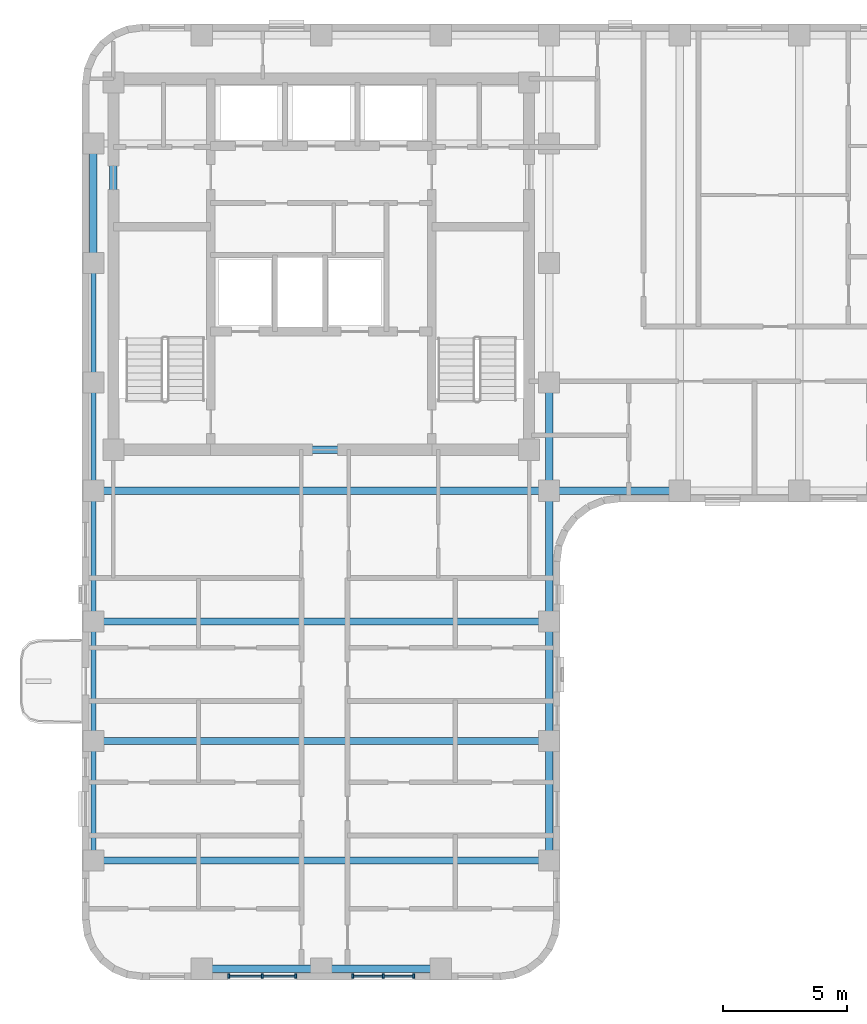
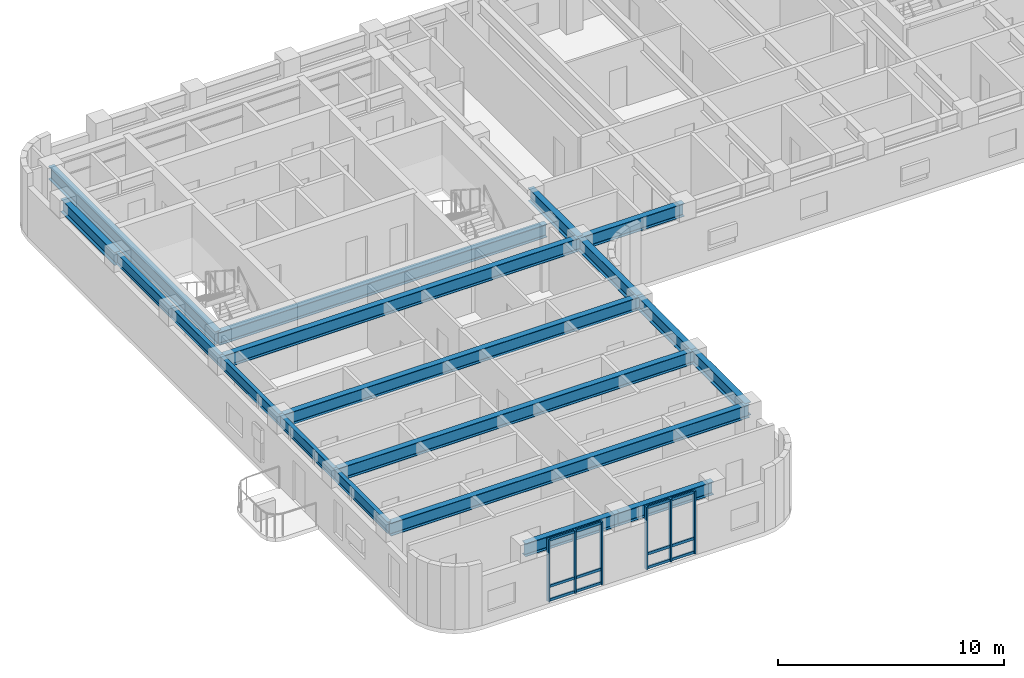
# One storey, part 2 of 12: 19 beams, 18 members, 2 elements without a shape of their own.
"""IFC4 building model written with IfcOpenShell, lengths in metres."""

from ifc_helpers import new_model, si_unit, direction, frame, origin, origin_2d, place, context, subcontext, project, spatial, rectangle, i_section, extrude, material, material_profile, profile_set, type_object, element, aggregate, save


model = new_model("IFC4")

# Units and contexts
model_context = context("Model", 3, precision=1e-05, world=origin(), true_north=direction((0.0, 1.0)))
body_context = subcontext(model_context, "Body", "Model", "MODEL_VIEW")
ifc_project = project(units=[si_unit("LENGTHUNIT", "METRE"), si_unit("AREAUNIT", "SQUARE_METRE"), si_unit("VOLUMEUNIT", "CUBIC_METRE"), si_unit("PLANEANGLEUNIT", "RADIAN"), si_unit("MASSUNIT", "GRAM", prefix="KILO")], contexts=[model_context])

# Site, building, storey
site_placement = place(None, origin())
site = spatial("IfcSite", under=ifc_project, at=site_placement, CompositionType="ELEMENT")
building_placement = place(site_placement, origin())
building = spatial("IfcBuilding", under=site, at=building_placement, Name="Orvandelia Arch Residences", CompositionType="ELEMENT")
storey_placement = place(building_placement, frame((0.0, 0.0, 214.60009765625)))
storey = spatial("IfcBuildingStorey", under=building, at=storey_placement, Name="L56", CompositionType="ELEMENT", Elevation=214.60009765625)

# Beams
ifc_material_1 = material(Name="Structural Steel SM355 (355 MPa)", Category="steel")
ifc_material_profile_1 = material_profile(ifc_material_1, i_section(OverallWidth=0.300048828125, OverallDepth=0.699951171875, WebThickness=0.012939453125, FlangeThickness=0.02392578125, FilletRadius=0.02392578125, at=origin_2d()), Name="Structural Steel SM355 (355 MPa)", Category="steel")
ifc_profile_set_1 = profile_set([ifc_material_profile_1], Name="Structural Steel SM355 (355 MPa)")
beam_type_1 = type_object("IfcBeamType", Name="BM-GRD-H700", PredefinedType="BEAM", material=ifc_profile_set_1)
beam_1_placement = place(storey_placement, frame((5.25, 38.39990234375, 3.02978515625), z_axis=(0.0, 1.0, 0.0), x_axis=(-1.0, 0.0, 0.0)))
element("IfcBeam", 1, at=beam_1_placement, inside=storey, type_object=beam_type_1, Name="Structural Frame Beam L56-NS-006", PredefinedType="BEAM", context=body_context, shape_type="SweptSolid", body=[
    extrude(i_section(OverallWidth=0.300048828125, OverallDepth=0.699951171875, WebThickness=0.012939453125, FlangeThickness=0.02392578125, FilletRadius=0.02392578125, at=origin_2d()), origin(), (0.0, 0.0, 1.0), 4.800048828125),
])
beam_2_placement = place(storey_placement, frame((6.050048828125, 30.89990234375, 3.02978515625), z_axis=(0.0, 1.0, 0.0), x_axis=(-1.0, 0.0, 0.0)))
element("IfcBeam", 2, at=beam_2_placement, inside=storey, type_object=beam_type_1, Name="Structural Frame Beam L56-NS-007", PredefinedType="BEAM", context=body_context, shape_type="SweptSolid", body=[
    extrude(i_section(OverallWidth=0.300048828125, OverallDepth=0.699951171875, WebThickness=0.012939453125, FlangeThickness=0.02392578125, FilletRadius=0.02392578125, at=origin_2d()), origin(), (0.0, 0.0, 1.0), 14.75),
])
for number, where, z_axis, x_axis, name in (
    (3, (23.550048828125, 14.39990234375, 3.02978515625), (0.0, 1.0, 0.0), (-1.0, 0.0, 0.0), "Structural Frame Beam L56-NS-009"),
    (4, (23.550048828125, 19.199951171875, 3.02978515625), (0.0, 1.0, 0.0), (-1.0, 0.0, 0.0), "Structural Frame Beam L56-NS-010"),
):
    element("IfcBeam", number, at=place(storey_placement, frame(where, z_axis=z_axis, x_axis=x_axis)), inside=storey, type_object=beam_type_1, Name=name, PredefinedType="BEAM", context=body_context, shape_type="SweptSolid", body=[
        extrude(i_section(OverallWidth=0.300048828125, OverallDepth=0.699951171875, WebThickness=0.012939453125, FlangeThickness=0.02392578125, FilletRadius=0.02392578125, at=origin_2d()), origin(), (0.0, 0.0, 1.0), 4.800048828125),
    ])
beam_3_placement = place(storey_placement, frame((23.550048828125, 24.0, 3.02978515625), z_axis=(0.0, 1.0, 0.0), x_axis=(-1.0, 0.0, 0.0)))
element("IfcBeam", 5, at=beam_3_placement, inside=storey, type_object=beam_type_1, Name="Structural Frame Beam L56-NS-011", PredefinedType="BEAM", context=body_context, shape_type="SweptSolid", body=[
    extrude(i_section(OverallWidth=0.300048828125, OverallDepth=0.699951171875, WebThickness=0.012939453125, FlangeThickness=0.02392578125, FilletRadius=0.02392578125, at=origin_2d()), origin(), (0.0, 0.0, 1.0), 5.25),
])
beam_4_placement = place(storey_placement, frame((23.550048828125, 29.25, 3.02978515625), z_axis=(0.0, 1.0, 0.0), x_axis=(-1.0, 0.0, 0.0)))
element("IfcBeam", 6, at=beam_4_placement, inside=storey, type_object=beam_type_1, Name="Structural Frame Beam L56-NS-012", PredefinedType="BEAM", context=body_context, shape_type="SweptSolid", body=[
    extrude(i_section(OverallWidth=0.300048828125, OverallDepth=0.699951171875, WebThickness=0.012939453125, FlangeThickness=0.02392578125, FilletRadius=0.02392578125, at=origin_2d()), origin(), (0.0, 0.0, 1.0), 4.35009765625),
])
beam_5_placement = place(storey_placement, frame((9.60009765625, 10.050048828125, 3.02978515625), z_axis=(1.0, 0.0, 0.0), x_axis=(0.0, 1.0, 0.0)))
element("IfcBeam", 7, at=beam_5_placement, inside=storey, type_object=beam_type_1, Name="Structural Frame Girder L56-EW-025", PredefinedType="BEAM", context=body_context, shape_type="SweptSolid", body=[
    extrude(i_section(OverallWidth=0.300048828125, OverallDepth=0.699951171875, WebThickness=0.012939453125, FlangeThickness=0.02392578125, FilletRadius=0.02392578125, at=origin_2d()), origin(), (0.0, 0.0, 1.0), 4.7998046875),
])
beam_6_placement = place(storey_placement, frame((14.39990234375, 10.050048828125, 3.02978515625), z_axis=(1.0, 0.0, 0.0), x_axis=(0.0, 1.0, 0.0)))
element("IfcBeam", 8, at=beam_6_placement, inside=storey, type_object=beam_type_1, Name="Structural Frame Girder L56-EW-026", PredefinedType="BEAM", context=body_context, shape_type="SweptSolid", body=[
    extrude(i_section(OverallWidth=0.300048828125, OverallDepth=0.699951171875, WebThickness=0.012939453125, FlangeThickness=0.02392578125, FilletRadius=0.02392578125, at=origin_2d()), origin(), (0.0, 0.0, 1.0), 4.800048828125),
])
for number, where, z_axis, x_axis, name in (
    (9, (5.25, 14.39990234375, 3.02978515625), (1.0, 0.0, 0.0), (0.0, 1.0, 0.0), "Structural Frame Girder L56-EW-027"),
    (10, (5.25, 19.199951171875, 3.02978515625), (1.0, 0.0, 0.0), (0.0, 1.0, 0.0), "Structural Frame Girder L56-EW-028"),
    (11, (5.25, 24.0, 3.02978515625), (1.0, 0.0, 0.0), (0.0, 1.0, 0.0), "Structural Frame Girder L56-EW-029"),
    (12, (5.25, 29.25, 3.02978515625), (1.0, 0.0, 0.0), (0.0, 1.0, 0.0), "Structural Frame Girder L56-EW-030"),
):
    element("IfcBeam", number, at=place(storey_placement, frame(where, z_axis=z_axis, x_axis=x_axis)), inside=storey, type_object=beam_type_1, Name=name, PredefinedType="BEAM", context=body_context, shape_type="SweptSolid", body=[
        extrude(i_section(OverallWidth=0.300048828125, OverallDepth=0.699951171875, WebThickness=0.012939453125, FlangeThickness=0.02392578125, FilletRadius=0.02392578125, at=origin_2d()), origin(), (0.0, 0.0, 1.0), 18.300048828125),
    ])
beam_7_placement = place(storey_placement, frame((23.550048828125, 29.25, 3.02978515625), z_axis=(1.0, 0.0, 0.0), x_axis=(0.0, 1.0, 0.0)))
element("IfcBeam", 13, at=beam_7_placement, inside=storey, type_object=beam_type_1, Name="Structural Frame Girder L56-EW-031", PredefinedType="BEAM", context=body_context, shape_type="SweptSolid", body=[
    extrude(i_section(OverallWidth=0.300048828125, OverallDepth=0.699951171875, WebThickness=0.012939453125, FlangeThickness=0.02392578125, FilletRadius=0.02392578125, at=origin_2d()), origin(), (0.0, 0.0, 1.0), 5.25),
])
beam_8_placement = place(storey_placement, frame((6.050048828125, 30.89990234375, 3.02978515625), z_axis=(1.0, 0.0, 0.0), x_axis=(0.0, 1.0, 0.0)))
element("IfcBeam", 14, at=beam_8_placement, inside=storey, type_object=beam_type_1, Name="Structural Frame Girder L56-EW-037", PredefinedType="BEAM", context=body_context, shape_type="SweptSolid", body=[
    extrude(i_section(OverallWidth=0.300048828125, OverallDepth=0.699951171875, WebThickness=0.012939453125, FlangeThickness=0.02392578125, FilletRadius=0.02392578125, at=origin_2d()), origin(), (0.0, 0.0, 1.0), 16.699951171875),
])
ifc_material_profile_2 = material_profile(ifc_material_1, i_section(OverallWidth=0.199951171875, OverallDepth=0.60009765625, WebThickness=0.010986328125, FlangeThickness=0.01708984375, FilletRadius=0.02197265625, at=origin_2d()), Name="Structural Steel SM355 (355 MPa)", Category="steel")
ifc_profile_set_2 = profile_set([ifc_material_profile_2], Name="Structural Steel SM355 (355 MPa)")
beam_type_2 = type_object("IfcBeamType", Name="BM-SPN-H600", PredefinedType="SPANDREL", material=ifc_profile_set_2)
for number, where, z_axis, x_axis, name in (
    (15, (5.25, 14.39990234375, 3.079833984375), (0.0, 1.0, 0.0), (-1.0, 0.0, 0.0), "Structural Frame Beam L56-NS-001"),
    (16, (5.25, 19.199951171875, 3.079833984375), (0.0, 1.0, 0.0), (-1.0, 0.0, 0.0), "Structural Frame Beam L56-NS-002"),
):
    element("IfcBeam", number, at=place(storey_placement, frame(where, z_axis=z_axis, x_axis=x_axis)), inside=storey, type_object=beam_type_2, Name=name, PredefinedType="SPANDREL", context=body_context, shape_type="SweptSolid", body=[
        extrude(i_section(OverallWidth=0.199951171875, OverallDepth=0.60009765625, WebThickness=0.010986328125, FlangeThickness=0.01708984375, FilletRadius=0.02197265625, at=origin_2d()), origin(), (0.0, 0.0, 1.0), 4.800048828125),
    ])
beam_9_placement = place(storey_placement, frame((5.25, 24.0, 3.079833984375), z_axis=(0.0, 1.0, 0.0), x_axis=(-1.0, 0.0, 0.0)))
element("IfcBeam", 17, at=beam_9_placement, inside=storey, type_object=beam_type_2, Name="Structural Frame Beam L56-NS-003", PredefinedType="SPANDREL", context=body_context, shape_type="SweptSolid", body=[
    extrude(i_section(OverallWidth=0.199951171875, OverallDepth=0.60009765625, WebThickness=0.010986328125, FlangeThickness=0.01708984375, FilletRadius=0.02197265625, at=origin_2d()), origin(), (0.0, 0.0, 1.0), 5.25),
])
beam_10_placement = place(storey_placement, frame((5.25, 29.25, 3.079833984375), z_axis=(0.0, 1.0, 0.0), x_axis=(-1.0, 0.0, 0.0)))
element("IfcBeam", 18, at=beam_10_placement, inside=storey, type_object=beam_type_2, Name="Structural Frame Beam L56-NS-004", PredefinedType="SPANDREL", context=body_context, shape_type="SweptSolid", body=[
    extrude(i_section(OverallWidth=0.199951171875, OverallDepth=0.60009765625, WebThickness=0.010986328125, FlangeThickness=0.01708984375, FilletRadius=0.02197265625, at=origin_2d()), origin(), (0.0, 0.0, 1.0), 4.35009765625),
])
beam_11_placement = place(storey_placement, frame((5.25, 33.60009765625, 3.079833984375), z_axis=(0.0, 1.0, 0.0), x_axis=(-1.0, 0.0, 0.0)))
element("IfcBeam", 19, at=beam_11_placement, inside=storey, type_object=beam_type_2, Name="Structural Frame Beam L56-NS-005", PredefinedType="SPANDREL", context=body_context, shape_type="SweptSolid", body=[
    extrude(i_section(OverallWidth=0.199951171875, OverallDepth=0.60009765625, WebThickness=0.010986328125, FlangeThickness=0.01708984375, FilletRadius=0.02197265625, at=origin_2d()), origin(), (0.0, 0.0, 1.0), 4.7998046875),
])

# Curtain wall, members
ifc_material_2 = material(Name="Anodised Bronze Curtain Wall Assembly")
curtain_wall_type = type_object("IfcCurtainWallType", Name="CW-SYS5-CORNER", PredefinedType="NOTDEFINED", material=ifc_material_2)
curtain_wall_1_placement = place(storey_placement, origin())
curtain_wall_1 = element("IfcCurtainWall", 20, at=curtain_wall_1_placement, inside=storey, type_object=curtain_wall_type, Name="Feature Bay Winter-Garden Curtain Wall L56 1", PredefinedType="NOTDEFINED")
ifc_material_3 = material(Name="Anodised Aluminium Alloy 6063-T6", Category="aluminium")
ifc_material_profile_3 = material_profile(ifc_material_3, rectangle(XDim=0.080078125, YDim=0.179931640625, at=origin_2d()), Name="Anodised Aluminium Alloy 6063-T6", Category="aluminium")
ifc_profile_set_3 = profile_set([ifc_material_profile_3], Name="Anodised Aluminium Alloy 6063-T6")
member_type_1 = type_object("IfcMemberType", Name="CW-MULLION-80x160", PredefinedType="MULLION", material=ifc_profile_set_3)
member_1_placement = place(storey_placement, frame((10.679931640625, 9.760009765625, 0.0), z_axis=(0.0, 0.0, 1.0), x_axis=(1.0, 0.0, 0.0)))
member_1 = element("IfcMember", 21, at=member_1_placement, type_object=member_type_1, Name="Curtain Wall Mullion CW-L56-1-M1", PredefinedType="MULLION", context=body_context, shape_type="SweptSolid", body=[
    extrude(rectangle(XDim=0.080078125, YDim=0.179931640625, at=origin_2d()), origin(), (0.0, 0.0, 1.0), 3.3798828125),
])
member_2_placement = place(storey_placement, frame((12.030029296875, 9.760009765625, 0.0), z_axis=(0.0, 0.0, 1.0), x_axis=(1.0, 0.0, 0.0)))
member_2 = element("IfcMember", 22, at=member_2_placement, type_object=member_type_1, Name="Curtain Wall Mullion CW-L56-1-M2", PredefinedType="MULLION", context=body_context, shape_type="SweptSolid", body=[
    extrude(rectangle(XDim=0.080078125, YDim=0.179931640625, at=origin_2d()), origin(), (0.0, 0.0, 1.0), 3.3798828125),
])
member_3_placement = place(storey_placement, frame((13.3798828125, 9.760009765625, 0.0), z_axis=(0.0, 0.0, 1.0), x_axis=(1.0, 0.0, 0.0)))
member_3 = element("IfcMember", 23, at=member_3_placement, type_object=member_type_1, Name="Curtain Wall Mullion CW-L56-1-M3", PredefinedType="MULLION", context=body_context, shape_type="SweptSolid", body=[
    extrude(rectangle(XDim=0.080078125, YDim=0.179931640625, at=origin_2d()), origin(), (0.0, 0.0, 1.0), 3.3798828125),
])

curtain_wall_2_placement = place(storey_placement, origin())
curtain_wall_2 = element("IfcCurtainWall", 24, at=curtain_wall_2_placement, inside=storey, type_object=curtain_wall_type, Name="Feature Bay Winter-Garden Curtain Wall L56 2", PredefinedType="NOTDEFINED")
member_4_placement = place(storey_placement, frame((15.669921875, 9.760009765625, 0.0), z_axis=(0.0, 0.0, 1.0), x_axis=(1.0, 0.0, 0.0)))
member_4 = element("IfcMember", 25, at=member_4_placement, type_object=member_type_1, Name="Curtain Wall Mullion CW-L56-2-M1", PredefinedType="MULLION", context=body_context, shape_type="SweptSolid", body=[
    extrude(rectangle(XDim=0.080078125, YDim=0.179931640625, at=origin_2d()), origin(), (0.0, 0.0, 1.0), 3.3798828125),
])
member_5_placement = place(storey_placement, frame((16.89501953125, 9.760009765625, 0.0), z_axis=(0.0, 0.0, 1.0), x_axis=(1.0, 0.0, 0.0)))
member_5 = element("IfcMember", 26, at=member_5_placement, type_object=member_type_1, Name="Curtain Wall Mullion CW-L56-2-M2", PredefinedType="MULLION", context=body_context, shape_type="SweptSolid", body=[
    extrude(rectangle(XDim=0.080078125, YDim=0.179931640625, at=origin_2d()), origin(), (0.0, 0.0, 1.0), 3.3798828125),
])
member_6_placement = place(storey_placement, frame((18.1201171875, 9.760009765625, 0.0), z_axis=(0.0, 0.0, 1.0), x_axis=(1.0, 0.0, 0.0)))
member_6 = element("IfcMember", 27, at=member_6_placement, type_object=member_type_1, Name="Curtain Wall Mullion CW-L56-2-M3", PredefinedType="MULLION", context=body_context, shape_type="SweptSolid", body=[
    extrude(rectangle(XDim=0.080078125, YDim=0.179931640625, at=origin_2d()), origin(), (0.0, 0.0, 1.0), 3.3798828125),
])

# Member
ifc_material_profile_4 = material_profile(ifc_material_3, rectangle(XDim=0.080078125, YDim=0.139892578125, at=origin_2d()), Name="Anodised Aluminium Alloy 6063-T6", Category="aluminium")
ifc_profile_set_4 = profile_set([ifc_material_profile_4], Name="Anodised Aluminium Alloy 6063-T6")
member_type_2 = type_object("IfcMemberType", Name="CW-TRANSOM-80x140", PredefinedType="USERDEFINED", material=ifc_profile_set_4)
member_7_placement = place(storey_placement, frame((10.705078125, 9.760009765625, 0.06982421875), z_axis=(1.0, 0.0, 0.0), x_axis=(0.0, 1.0, 0.0)))
member_7 = element("IfcMember", 28, at=member_7_placement, type_object=member_type_2, Name="Curtain Wall Transom CW-L56-1-T1-1", ObjectType="TRANSOM", PredefinedType="USERDEFINED", context=body_context, shape_type="SweptSolid", body=[
    extrude(rectangle(XDim=0.080078125, YDim=0.139892578125, at=origin_2d()), origin(), (0.0, 0.0, 1.0), 1.2998046875),
])

member_8_placement = place(storey_placement, frame((10.705078125, 9.760009765625, 0.81103515625), z_axis=(1.0, 0.0, 0.0), x_axis=(0.0, 1.0, 0.0)))
member_8 = element("IfcMember", 29, at=member_8_placement, type_object=member_type_2, Name="Curtain Wall Transom CW-L56-1-T1-2", ObjectType="TRANSOM", PredefinedType="USERDEFINED", context=body_context, shape_type="SweptSolid", body=[
    extrude(rectangle(XDim=0.080078125, YDim=0.139892578125, at=origin_2d()), origin(), (0.0, 0.0, 1.0), 1.2998046875),
])

member_9_placement = place(storey_placement, frame((10.705078125, 9.760009765625, 3.309814453125), z_axis=(1.0, 0.0, 0.0), x_axis=(0.0, 1.0, 0.0)))
member_9 = element("IfcMember", 30, at=member_9_placement, type_object=member_type_2, Name="Curtain Wall Transom CW-L56-1-T1-3", ObjectType="TRANSOM", PredefinedType="USERDEFINED", context=body_context, shape_type="SweptSolid", body=[
    extrude(rectangle(XDim=0.080078125, YDim=0.139892578125, at=origin_2d()), origin(), (0.0, 0.0, 1.0), 1.2998046875),
])

member_10_placement = place(storey_placement, frame((12.054931640625, 9.760009765625, 0.06982421875), z_axis=(1.0, 0.0, 0.0), x_axis=(0.0, 1.0, 0.0)))
member_10 = element("IfcMember", 31, at=member_10_placement, type_object=member_type_2, Name="Curtain Wall Transom CW-L56-1-T2-1", ObjectType="TRANSOM", PredefinedType="USERDEFINED", context=body_context, shape_type="SweptSolid", body=[
    extrude(rectangle(XDim=0.080078125, YDim=0.139892578125, at=origin_2d()), origin(), (0.0, 0.0, 1.0), 1.300048828125),
])

member_11_placement = place(storey_placement, frame((12.054931640625, 9.760009765625, 0.81103515625), z_axis=(1.0, 0.0, 0.0), x_axis=(0.0, 1.0, 0.0)))
member_11 = element("IfcMember", 32, at=member_11_placement, type_object=member_type_2, Name="Curtain Wall Transom CW-L56-1-T2-2", ObjectType="TRANSOM", PredefinedType="USERDEFINED", context=body_context, shape_type="SweptSolid", body=[
    extrude(rectangle(XDim=0.080078125, YDim=0.139892578125, at=origin_2d()), origin(), (0.0, 0.0, 1.0), 1.300048828125),
])

member_12_placement = place(storey_placement, frame((12.054931640625, 9.760009765625, 3.309814453125), z_axis=(1.0, 0.0, 0.0), x_axis=(0.0, 1.0, 0.0)))
member_12 = element("IfcMember", 33, at=member_12_placement, type_object=member_type_2, Name="Curtain Wall Transom CW-L56-1-T2-3", ObjectType="TRANSOM", PredefinedType="USERDEFINED", context=body_context, shape_type="SweptSolid", body=[
    extrude(rectangle(XDim=0.080078125, YDim=0.139892578125, at=origin_2d()), origin(), (0.0, 0.0, 1.0), 1.300048828125),
])

aggregate(curtain_wall_1, [member_1, member_2, member_3, member_7, member_8, member_9, member_10, member_11, member_12])

member_13_placement = place(storey_placement, frame((15.695068359375, 9.760009765625, 0.06982421875), z_axis=(1.0, 0.0, 0.0), x_axis=(0.0, 1.0, 0.0)))
member_13 = element("IfcMember", 34, at=member_13_placement, type_object=member_type_2, Name="Curtain Wall Transom CW-L56-2-T1-1", ObjectType="TRANSOM", PredefinedType="USERDEFINED", context=body_context, shape_type="SweptSolid", body=[
    extrude(rectangle(XDim=0.080078125, YDim=0.139892578125, at=origin_2d()), origin(), (0.0, 0.0, 1.0), 1.175048828125),
])

member_14_placement = place(storey_placement, frame((15.695068359375, 9.760009765625, 0.81103515625), z_axis=(1.0, 0.0, 0.0), x_axis=(0.0, 1.0, 0.0)))
member_14 = element("IfcMember", 35, at=member_14_placement, type_object=member_type_2, Name="Curtain Wall Transom CW-L56-2-T1-2", ObjectType="TRANSOM", PredefinedType="USERDEFINED", context=body_context, shape_type="SweptSolid", body=[
    extrude(rectangle(XDim=0.080078125, YDim=0.139892578125, at=origin_2d()), origin(), (0.0, 0.0, 1.0), 1.175048828125),
])

member_15_placement = place(storey_placement, frame((15.695068359375, 9.760009765625, 3.309814453125), z_axis=(1.0, 0.0, 0.0), x_axis=(0.0, 1.0, 0.0)))
member_15 = element("IfcMember", 36, at=member_15_placement, type_object=member_type_2, Name="Curtain Wall Transom CW-L56-2-T1-3", ObjectType="TRANSOM", PredefinedType="USERDEFINED", context=body_context, shape_type="SweptSolid", body=[
    extrude(rectangle(XDim=0.080078125, YDim=0.139892578125, at=origin_2d()), origin(), (0.0, 0.0, 1.0), 1.175048828125),
])

member_16_placement = place(storey_placement, frame((16.919921875, 9.760009765625, 0.06982421875), z_axis=(1.0, 0.0, 0.0), x_axis=(0.0, 1.0, 0.0)))
member_16 = element("IfcMember", 37, at=member_16_placement, type_object=member_type_2, Name="Curtain Wall Transom CW-L56-2-T2-1", ObjectType="TRANSOM", PredefinedType="USERDEFINED", context=body_context, shape_type="SweptSolid", body=[
    extrude(rectangle(XDim=0.080078125, YDim=0.139892578125, at=origin_2d()), origin(), (0.0, 0.0, 1.0), 1.175048828125),
])

member_17_placement = place(storey_placement, frame((16.919921875, 9.760009765625, 0.81103515625), z_axis=(1.0, 0.0, 0.0), x_axis=(0.0, 1.0, 0.0)))
member_17 = element("IfcMember", 38, at=member_17_placement, type_object=member_type_2, Name="Curtain Wall Transom CW-L56-2-T2-2", ObjectType="TRANSOM", PredefinedType="USERDEFINED", context=body_context, shape_type="SweptSolid", body=[
    extrude(rectangle(XDim=0.080078125, YDim=0.139892578125, at=origin_2d()), origin(), (0.0, 0.0, 1.0), 1.175048828125),
])

member_18_placement = place(storey_placement, frame((16.919921875, 9.760009765625, 3.309814453125), z_axis=(1.0, 0.0, 0.0), x_axis=(0.0, 1.0, 0.0)))
member_18 = element("IfcMember", 39, at=member_18_placement, type_object=member_type_2, Name="Curtain Wall Transom CW-L56-2-T2-3", ObjectType="TRANSOM", PredefinedType="USERDEFINED", context=body_context, shape_type="SweptSolid", body=[
    extrude(rectangle(XDim=0.080078125, YDim=0.139892578125, at=origin_2d()), origin(), (0.0, 0.0, 1.0), 1.175048828125),
])

aggregate(curtain_wall_2, [member_4, member_5, member_6, member_13, member_14, member_15, member_16, member_17, member_18])

save(model, "model.ifc")
